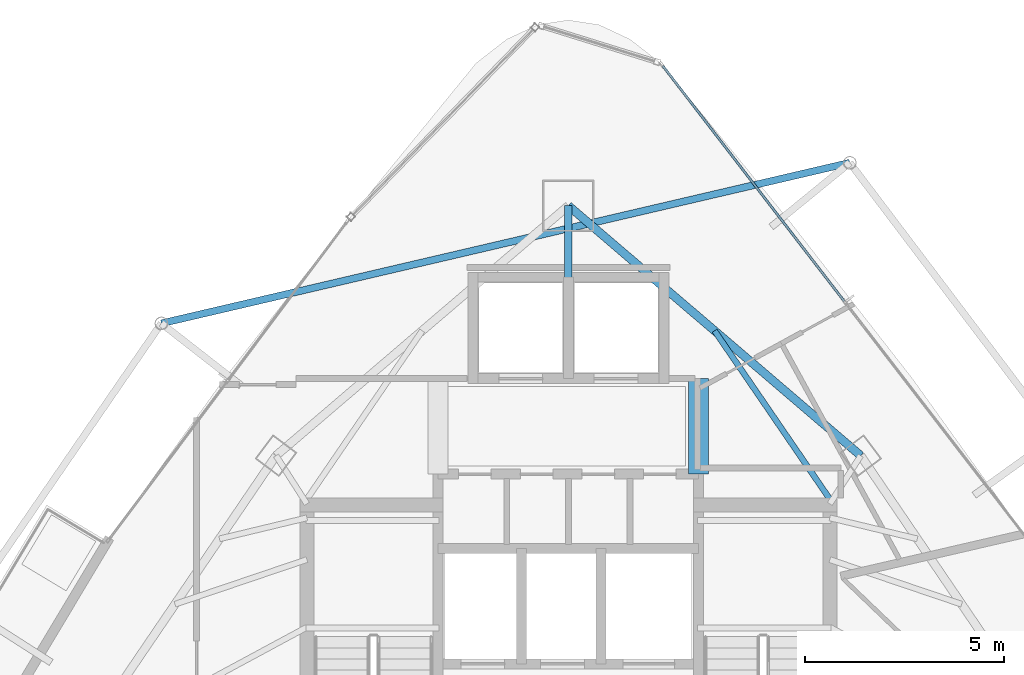
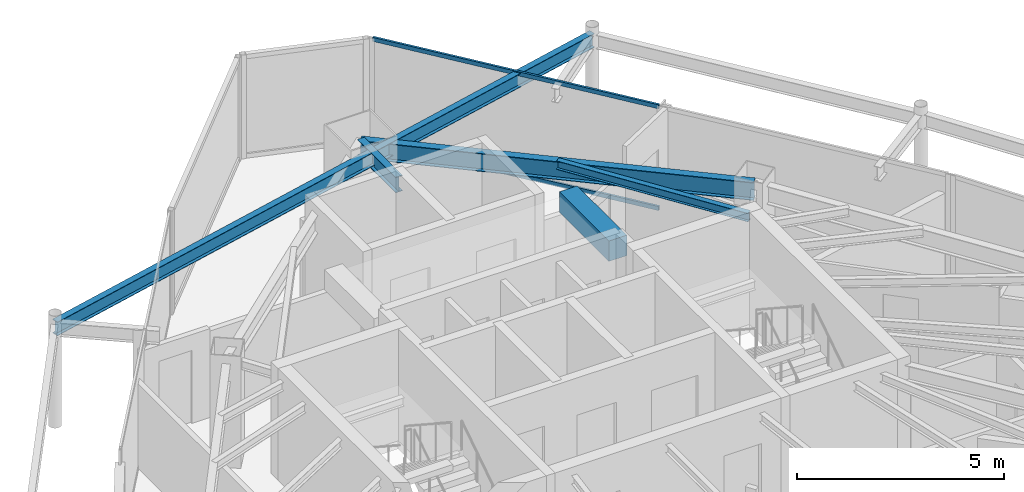
# One storey, part 23 of 32: 5 beams, 2 members, 1 element without a shape of its own.
"""IFC4 building model written with IfcOpenShell, lengths in metres."""

from ifc_helpers import new_model, si_unit, direction, frame, origin, origin_2d, place, context, subcontext, project, spatial, rectangle, hollow_rectangle, i_section, extrude, material, layer, layer_set, material_profile, profile_set, type_object, element, aggregate, save


model = new_model("IFC4")

# Units and contexts
model_context = context("Model", 3, precision=1e-05, world=origin(), true_north=direction((0.0, 1.0)))
body_context = subcontext(model_context, "Body", "Model", "MODEL_VIEW")
ifc_project = project(units=[si_unit("LENGTHUNIT", "METRE"), si_unit("AREAUNIT", "SQUARE_METRE"), si_unit("VOLUMEUNIT", "CUBIC_METRE"), si_unit("PLANEANGLEUNIT", "RADIAN"), si_unit("MASSUNIT", "GRAM", prefix="KILO")], contexts=[model_context])

# Site, building, storey
site_placement = place(None, origin())
site = spatial("IfcSite", under=ifc_project, at=site_placement, CompositionType="ELEMENT")
building_placement = place(site_placement, origin())
building = spatial("IfcBuilding", under=site, at=building_placement, Name="Orvanel Arch Residences", CompositionType="ELEMENT")
storey_placement = place(building_placement, frame((0.0, 0.0, 219.5)))
storey = spatial("IfcBuildingStorey", under=building, at=storey_placement, Name="L62", CompositionType="ELEMENT", Elevation=219.5)

# Beams
ifc_material_1 = material(Name="Structural steel AS/NZS 3679.1 Grade 300 (300 MPa)", Category="steel")
ifc_material_profile_1 = material_profile(ifc_material_1, i_section(OverallWidth=0.19091796875, OverallDepth=0.4599609375, WebThickness=0.010009765625, FlangeThickness=0.01611328125, at=origin_2d()), Name="460UB82.1")
ifc_profile_set_1 = profile_set([ifc_material_profile_1], Name="Structural steel AS/NZS 3679.1 Grade 300 (300 MPa)")
beam_type_1 = type_object("IfcBeamType", Name="BG-460UB", PredefinedType="BEAM", material=ifc_profile_set_1)
beam_1_placement = place(storey_placement, frame((33.0, 39.550048828125, 2.830078125), z_axis=(0.0, 1.0, 0.0), x_axis=(-1.0, 0.0, 0.0)))
element("IfcBeam", 1, at=beam_1_placement, inside=storey, type_object=beam_type_1, Name="L62 North Radial Girder", PredefinedType="BEAM", context=body_context, shape_type="SweptSolid", body=[
    extrude(i_section(OverallWidth=0.19091796875, OverallDepth=0.4599609375, WebThickness=0.010009765625, FlangeThickness=0.01611328125, at=origin_2d()), origin(), (0.0, 0.0, 1.0), 1.847900390625),
])
ifc_material_profile_2 = material_profile(ifc_material_1, i_section(OverallWidth=0.14599609375, OverallDepth=0.251953125, WebThickness=0.006103515625, FlangeThickness=0.008544921875, at=origin_2d()), Name="250UB31.4")
ifc_profile_set_2 = profile_set([ifc_material_profile_2], Name="Structural steel AS/NZS 3679.1 Grade 300 (300 MPa)")
beam_type_2 = type_object("IfcBeamType", Name="BJ-250UB", PredefinedType="JOIST", material=ifc_profile_set_2)
beam_2_placement = place(storey_placement, frame((39.574951171875, 34.02001953125, 2.93408203125), z_axis=(-0.564868085352, 0.825181220188, 0.0), x_axis=(-0.825181220188, -0.564868085352, 0.0)))
element("IfcBeam", 2, at=beam_2_placement, inside=storey, type_object=beam_type_2, Name="L62 NNE2 Wing Floor Joist", PredefinedType="JOIST", context=body_context, shape_type="SweptSolid", body=[
    extrude(i_section(OverallWidth=0.14599609375, OverallDepth=0.251953125, WebThickness=0.006103515625, FlangeThickness=0.008544921875, at=origin_2d()), origin(), (0.0, 0.0, 1.0), 5.132080078125),
])
ifc_material_2 = material(Name="Concrete S65 (65 MPa)", Category="concrete")
ifc_material_profile_3 = material_profile(ifc_material_2, rectangle(XDim=0.5, YDim=0.60009765625, at=origin_2d()), Name="RC500x600")
ifc_profile_set_3 = profile_set([ifc_material_profile_3], Name="Concrete S65 (65 MPa)")
beam_type_3 = type_object("IfcBeamType", Name="CB-500x600", PredefinedType="LINTEL", material=ifc_profile_set_3)
beam_3_placement = place(storey_placement, frame((36.27490234375, 34.64990234375, 2.760009765625), z_axis=(0.0, 1.0, 0.0), x_axis=(-1.0, 0.0, 0.0)))
element("IfcBeam", 3, at=beam_3_placement, inside=storey, type_object=beam_type_3, Name="L62 East Core Lobby Coupling Lintel Beam", PredefinedType="LINTEL", context=body_context, shape_type="SweptSolid", body=[
    extrude(rectangle(XDim=0.5, YDim=0.60009765625, at=origin_2d()), origin(), (0.0, 0.0, 1.0), 2.400146484375),
])
ifc_material_profile_4 = material_profile(ifc_material_1, i_section(OverallWidth=0.177978515625, OverallDepth=0.406005859375, WebThickness=0.0078125, FlangeThickness=0.0126953125, at=origin_2d()), Name="410UB59.7")
ifc_profile_set_4 = profile_set([ifc_material_profile_4], Name="Structural steel AS/NZS 3679.1 Grade 300 (300 MPa)")
beam_type_4 = type_object("IfcBeamType", Name="OB-410UB-EXT", PredefinedType="SPANDREL", material=ifc_profile_set_4)
beam_4_placement = place(storey_placement, frame((40.076904296875, 42.47900390625, 2.85693359375), z_axis=(-0.973846274562, -0.227207908142, 0.0), x_axis=(0.227207908142, -0.973846274562, 0.0)))
element("IfcBeam", 4, at=beam_4_placement, inside=storey, type_object=beam_type_4, Name="L62 Outer Perimeter Floor Ring Beam 12", PredefinedType="SPANDREL", context=body_context, shape_type="SweptSolid", body=[
    extrude(i_section(OverallWidth=0.177978515625, OverallDepth=0.406005859375, WebThickness=0.0078125, FlangeThickness=0.0126953125, at=origin_2d()), origin(), (0.0, 0.0, 1.0), 17.77685546875),
])
ifc_material_profile_5 = material_profile(ifc_material_1, i_section(OverallWidth=0.208984375, OverallDepth=0.532958984375, WebThickness=0.01025390625, FlangeThickness=0.015625, at=origin_2d()), Name="530UB92.4")
ifc_profile_set_5 = profile_set([ifc_material_profile_5], Name="Structural steel AS/NZS 3679.1 Grade 300 (300 MPa)")
beam_type_5 = type_object("IfcBeamType", Name="SP-530UB", PredefinedType="SPANDREL", material=ifc_profile_set_5)
beam_5_placement = place(storey_placement, frame((40.35205078125, 35.113037109375, 2.79296875), z_axis=(-0.760116518398, 0.649786794617, 0.0), x_axis=(-0.649786794617, -0.760116518398, 0.0)))
element("IfcBeam", 5, at=beam_5_placement, inside=storey, type_object=beam_type_5, Name="L62 Perimeter Spandrel Beam 09", PredefinedType="SPANDREL", context=body_context, shape_type="SweptSolid", body=[
    extrude(i_section(OverallWidth=0.208984375, OverallDepth=0.532958984375, WebThickness=0.01025390625, FlangeThickness=0.015625, at=origin_2d()), origin(), (0.0, 0.0, 1.0), 9.67236328125),
])

# Curtain wall, members
ifc_material_3 = material(Name="Bronze-anodised aluminium AA6063-T6", Category="aluminium")
ifc_layer = layer(ifc_material_3, 0.175048828125)
ifc_layer_set = layer_set([ifc_layer], Name="Bronze-anodised aluminium AA6063-T6")
curtain_wall_type = type_object("IfcCurtainWallType", Name="CW4-HI-SYS", PredefinedType="NOTDEFINED", material=ifc_layer_set)
curtain_wall_placement = place(storey_placement, origin())
curtain_wall = element("IfcCurtainWall", 6, at=curtain_wall_placement, inside=storey, type_object=curtain_wall_type, Name="L62 CW4-HI-SYS Unitised Curtain Wall", PredefinedType="NOTDEFINED")
ifc_material_profile_6 = material_profile(ifc_material_3, hollow_rectangle(XDim=0.06005859375, YDim=0.1201171875, WallThickness=0.00341796875, at=origin_2d()), Name="ALU120x60x3.5")
ifc_profile_set_6 = profile_set([ifc_material_profile_6], Name="Bronze-anodised aluminium AA6063-T6")
member_type = type_object("IfcMemberType", Name="TRN-120x60", PredefinedType="USERDEFINED", material=ifc_profile_set_6)
member_1_placement = place(storey_placement, frame((39.93603515625, 38.997802734375, 0.030029296875), z_axis=(-0.610559498892, 0.791970389796, 0.0), x_axis=(-0.791970389796, -0.610559498892, 0.0)))
member_1 = element("IfcMember", 7, at=member_1_placement, type_object=member_type, Name="CW-S4 transom 2.1", ObjectType="TRANSOM", PredefinedType="USERDEFINED", context=body_context, shape_type="SweptSolid", body=[
    extrude(hollow_rectangle(XDim=0.06005859375, YDim=0.1201171875, WallThickness=0.00341796875, at=origin_2d()), origin(), (0.0, 0.0, 1.0), 7.475830078125),
])
member_2_placement = place(storey_placement, frame((39.93603515625, 38.997802734375, 3.030029296875), z_axis=(-0.610559498892, 0.791970389796, 0.0), x_axis=(-0.791970389796, -0.610559498892, 0.0)))
member_2 = element("IfcMember", 8, at=member_2_placement, type_object=member_type, Name="CW-S4 transom 2.2", ObjectType="TRANSOM", PredefinedType="USERDEFINED", context=body_context, shape_type="SweptSolid", body=[
    extrude(hollow_rectangle(XDim=0.06005859375, YDim=0.1201171875, WallThickness=0.00341796875, at=origin_2d()), origin(), (0.0, 0.0, 1.0), 7.475830078125),
])
aggregate(curtain_wall, [member_1, member_2])

save(model, "model.ifc")
